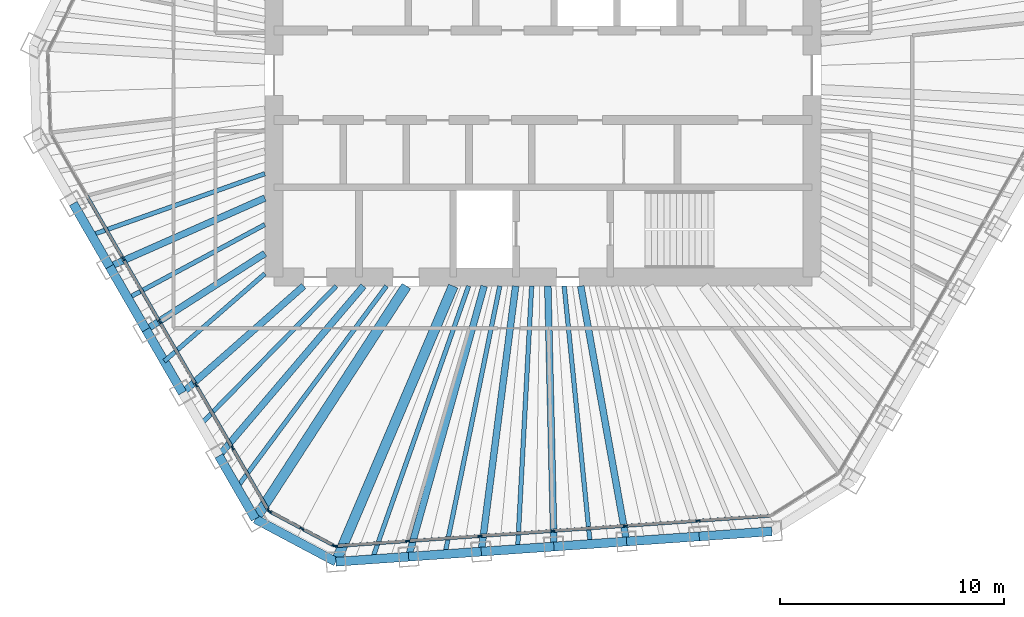
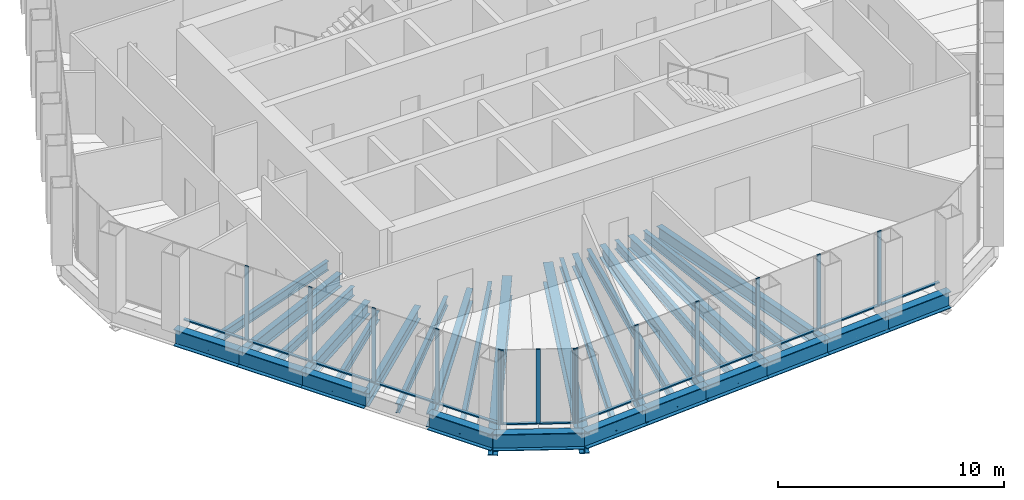
# One storey, part 2 of 14: 30 beams, 27 members, 3 elements without a shape of their own.
"""IFC4 building model written with IfcOpenShell, lengths in metres."""

import ifcopenshell
import ifcopenshell.guid

model = None  # the IFC model being written
_history = None  # IfcOwnerHistory: only IFC2X3 demands one
_inside = {}  # id of a spatial element -> (the spatial element, [elements in it])
_under = {}  # id of a project, library or spatial element -> (it, [spatial elements below it])
_declared = {}  # id of a project -> (the project, [libraries it declares])
_typed = {}  # id of a type object -> (the type object, [elements of that type])
_made_of = {}  # id of a material, layer set ... -> (it, [elements and type objects made of it])


def new_model(schema):
    """Start an empty IFC model of exactly this schema.

    Asked for "IFC4X3", IfcOpenShell would pick the latest addendum, in which some entities
    have other attributes; the version numbers below select the first issue.
    IFC2X3 requires an IfcOwnerHistory on every rooted entity: one is made here for all.
    """
    global model, _history
    if schema == "IFC4X3":
        model = ifcopenshell.file(schema_version=(4, 3, 0, 0))
    else:
        model = ifcopenshell.file(schema=schema)
    _inside.clear()
    _under.clear()
    _declared.clear()
    _typed.clear()
    _made_of.clear()
    _history = None
    if model.schema == "IFC2X3":
        org = make("IfcOrganization", Name="unknown")
        user = make(
            "IfcPersonAndOrganization",
            ThePerson=make("IfcPerson", FamilyName="unknown"),
            TheOrganization=org,
        )
        app = make(
            "IfcApplication",
            ApplicationDeveloper=org,
            Version="unknown",
            ApplicationFullName="unknown",
            ApplicationIdentifier="unknown",
        )
        _history = make(
            "IfcOwnerHistory",
            OwningUser=user,
            OwningApplication=app,
            ChangeAction="ADDED",
            CreationDate=0,
        )
    return model


def make(cls, **values):
    """One entity of the class cls with the attributes given. An attribute that is None is left unset."""
    return model.create_entity(
        cls, **{name: value for name, value in values.items() if value is not None}
    )


def rooted(cls, **values):
    """An entity with a GlobalId (a new one), such as an element, a storey or a relation."""
    return make(cls, GlobalId=ifcopenshell.guid.new(), OwnerHistory=_history, **values)


def si_unit(unit_type, name, prefix=None):
    """IfcSIUnit, for example si_unit("LENGTHUNIT", "METRE", prefix="MILLI")."""
    return make("IfcSIUnit", UnitType=unit_type, Prefix=prefix, Name=name)


def assignment(units):
    """IfcUnitAssignment: the units of a project."""
    return None if units is None else make("IfcUnitAssignment", Units=units)


def point(xyz):
    """IfcCartesianPoint."""
    return None if xyz is None else make("IfcCartesianPoint", Coordinates=xyz)


def direction(xyz):
    """IfcDirection."""
    return None if xyz is None else make("IfcDirection", DirectionRatios=xyz)


def frame(location, z_axis=None, x_axis=None):
    """IfcAxis2Placement3D, a coordinate frame: its origin and axes. An axis left out is left unset."""
    return make(
        "IfcAxis2Placement3D",
        Location=point(location),
        Axis=direction(z_axis),
        RefDirection=direction(x_axis),
    )


def frame_2d(location, x_axis=None):
    """IfcAxis2Placement2D, a coordinate frame in the plane: its origin and x axis."""
    return make(
        "IfcAxis2Placement2D", Location=point(location), RefDirection=direction(x_axis)
    )


def origin():
    """The frame at (0, 0, 0) with its axes left unset."""
    return frame((0.0, 0.0, 0.0))


def origin_2d():
    """The frame at (0, 0) in the plane with its x axis left unset."""
    return frame_2d((0.0, 0.0))


def place(relative_to, where):
    """IfcLocalPlacement: puts the frame where relative to a parent placement (None: the world)."""
    return make(
        "IfcLocalPlacement", PlacementRelTo=relative_to, RelativePlacement=where
    )


def context(
    kind, dimensions, precision=None, world=None, true_north=None, identifier=None
):
    """IfcGeometricRepresentationContext, for example the 3D "Model" context."""
    return make(
        "IfcGeometricRepresentationContext",
        ContextIdentifier=identifier,
        ContextType=kind,
        CoordinateSpaceDimension=dimensions,
        Precision=precision,
        WorldCoordinateSystem=world,
        TrueNorth=true_north,
    )


def subcontext(parent, identifier, kind, view, scale=None):
    """IfcGeometricRepresentationSubContext, for example "Body" below "Model"."""
    return make(
        "IfcGeometricRepresentationSubContext",
        ContextIdentifier=identifier,
        ContextType=kind,
        ParentContext=parent,
        TargetScale=scale,
        TargetView=view,
    )


def project(units=None, contexts=None):
    """IfcProject with its units and contexts."""
    return rooted(
        "IfcProject",
        Name="project",
        RepresentationContexts=contexts,
        UnitsInContext=assignment(units),
    )


def spatial(cls, under=None, at=None, **own):
    """A site, building, storey or space (cls), placed at a placement, below another one or the project."""
    s = rooted(cls, ObjectPlacement=at, **own)
    if under is not None:
        _under.setdefault(under.id(), (under, []))[1].append(s)
    return s


def profile(cls, at=None, kind="AREA", **sizes):
    """A parametric profile (cls). Its sizes go by their IFC names, for example OverallWidth=200.0."""
    return make(cls, ProfileType=kind, Position=at, **sizes)


def rectangle(**sizes):
    """IfcRectangleProfileDef."""
    return profile("IfcRectangleProfileDef", **sizes)


def i_section(**sizes):
    """IfcIShapeProfileDef."""
    return profile("IfcIShapeProfileDef", **sizes)


def extrude(swept, where, along, depth):
    """IfcExtrudedAreaSolid: the profile swept, set in the frame where, extruded along a direction by depth."""
    return make(
        "IfcExtrudedAreaSolid",
        SweptArea=swept,
        Position=where,
        ExtrudedDirection=direction(along),
        Depth=depth,
    )


def shape(context_of_items, identifier, shape_type, items):
    """IfcShapeRepresentation: the items that make up one representation, for example the "Body"."""
    return make(
        "IfcShapeRepresentation",
        ContextOfItems=context_of_items,
        RepresentationIdentifier=identifier,
        RepresentationType=shape_type,
        Items=items,
    )


def material(Name=None, Category=None):
    """IfcMaterial."""
    return make("IfcMaterial", Name=Name, Category=Category)


def material_profile(
    of_material, cross_section, Name=None, Category=None, Priority=None
):
    """IfcMaterialProfile: a cross section and its material."""
    return make(
        "IfcMaterialProfile",
        Name=Name,
        Material=of_material,
        Profile=cross_section,
        Priority=Priority,
        Category=Category,
    )


def profile_set(profiles, Name=None, composite=None):
    """IfcMaterialProfileSet."""
    return make(
        "IfcMaterialProfileSet",
        Name=Name,
        MaterialProfiles=profiles,
        CompositeProfile=composite,
    )


def made_of(thing, what):
    """Note that an element or type object is made of a material, layer set ...; save() writes the relation."""
    if what is not None:
        _made_of.setdefault(what.id(), (what, []))[1].append(thing)
    return thing


def type_object(cls, material=None, **own):
    """A type object (cls), such as IfcWallType, which elements share."""
    return made_of(rooted(cls, **own), material)


def element(
    cls,
    number,
    at=None,
    inside=None,
    cuts=None,
    type_object=None,
    material=None,
    context=None,
    identifier="Body",
    shape_type=None,
    held_by="IfcProductDefinitionShape",
    body=None,
    shapes=None,
    **own,
):
    """One element of the class cls, such as IfcWall. Its Tag is "e" and its number.

    at: its placement. inside: the storey or other place that contains it. cuts: it is an
    opening in that element (IfcRelVoidsElement). A single representation is given by context,
    identifier, shape_type and body (its items); several are given by shapes. held_by: the class
    of the entity that holds the representations. save() writes the other relations.
    """
    e = rooted(cls, Tag="e%d" % number, ObjectPlacement=at, **own)
    if body is not None:
        shapes = [shape(context, identifier, shape_type, body)]
    if shapes is not None:
        e.Representation = make(held_by, Representations=shapes)
    if inside is not None:
        _inside.setdefault(inside.id(), (inside, []))[1].append(e)
    if cuts is not None:
        rooted(
            "IfcRelVoidsElement", RelatingBuildingElement=cuts, RelatedOpeningElement=e
        )
    if type_object is not None:
        _typed.setdefault(type_object.id(), (type_object, []))[1].append(e)
    return made_of(e, material)


def aggregate(whole, parts):
    """IfcRelAggregates: a whole, such as a stair, and the parts it consists of."""
    return rooted("IfcRelAggregates", RelatingObject=whole, RelatedObjects=parts)


def save(model, path):
    """Write the relations noted so far, then the file.

    IfcRelAggregates (storeys below a building ...), IfcRelContainedInSpatialStructure (elements
    in a storey), IfcRelDefinesByType, IfcRelAssociatesMaterial and IfcRelDeclares: one each for
    every whole, place, type object, material and project.
    """
    for whole, parts in _under.values():
        aggregate(whole, parts)
    for where, things in _inside.values():
        rooted(
            "IfcRelContainedInSpatialStructure",
            RelatedElements=things,
            RelatingStructure=where,
        )
    for kind, things in _typed.values():
        rooted("IfcRelDefinesByType", RelatedObjects=things, RelatingType=kind)
    for what, things in _made_of.values():
        rooted("IfcRelAssociatesMaterial", RelatedObjects=things, RelatingMaterial=what)
    for by, libraries in _declared.values():
        rooted("IfcRelDeclares", RelatingContext=by, RelatedDefinitions=libraries)
    model.write(path)


model = new_model("IFC4")

# Units and contexts
model_context = context("Model", 3, precision=1e-05, world=origin(), true_north=direction((0.0, 1.0)))
body_context = subcontext(model_context, "Body", "Model", "MODEL_VIEW")
ifc_project = project(units=[si_unit("LENGTHUNIT", "METRE"), si_unit("AREAUNIT", "SQUARE_METRE"), si_unit("VOLUMEUNIT", "CUBIC_METRE"), si_unit("PLANEANGLEUNIT", "RADIAN"), si_unit("MASSUNIT", "GRAM", prefix="KILO")], contexts=[model_context])

# Site, building, storey
site_placement = place(None, origin())
site = spatial("IfcSite", under=ifc_project, at=site_placement, CompositionType="ELEMENT")
building_placement = place(site_placement, origin())
building = spatial("IfcBuilding", under=site, at=building_placement, Name="Qingtian Harvest Tower", CompositionType="ELEMENT")
storey_placement = place(building_placement, frame((0.0, 0.0, 325.0)))
storey = spatial("IfcBuildingStorey", under=building, at=storey_placement, Name="L72", CompositionType="ELEMENT", Elevation=325.0)

# Beams
ifc_material_1 = material(Name="Steel SM570MC", Category="steel")
ifc_material_profile_1 = material_profile(ifc_material_1, i_section(OverallWidth=0.449951171875, OverallDepth=1.10009765625, WebThickness=0.02197265625, FlangeThickness=0.044921875, at=origin_2d()), Name="H1100x450x22x45")
ifc_profile_set_1 = profile_set([ifc_material_profile_1], Name="Steel SM570MC")
beam_type_1 = type_object("IfcBeamType", Name="Corner floor beam FB8 H1100x450x22x45", PredefinedType="BEAM", material=ifc_profile_set_1)
beam_1_placement = place(storey_placement, frame((-9.231201171875, -21.69677734375, -0.719970703125), z_axis=(0.391505797179, 0.920175641264, 0.0), x_axis=(-0.920175641264, 0.391505797179, 0.0)))
element("IfcBeam", 1, at=beam_1_placement, inside=storey, type_object=beam_type_1, Name="Floor beam FB8 S6", PredefinedType="BEAM", context=body_context, shape_type="SweptSolid", body=[
    extrude(i_section(OverallWidth=0.449951171875, OverallDepth=1.10009765625, WebThickness=0.02197265625, FlangeThickness=0.044921875, at=origin_2d()), origin(), (0.0, 0.0, 1.0), 13.363525390625),
])
beam_2_placement = place(storey_placement, frame((-12.825439453125, -19.78564453125, -0.719970703125), z_axis=(0.543934037964, 0.839127977334, 0.0), x_axis=(-0.839127977334, 0.543934037964, 0.0)))
element("IfcBeam", 2, at=beam_2_placement, inside=storey, type_object=beam_type_1, Name="Floor beam FB8 SW0", PredefinedType="BEAM", context=body_context, shape_type="SweptSolid", body=[
    extrude(i_section(OverallWidth=0.449951171875, OverallDepth=1.10009765625, WebThickness=0.02197265625, FlangeThickness=0.044921875, at=origin_2d()), origin(), (0.0, 0.0, 1.0), 12.376708984375),
])
ifc_material_2 = material(Name="Steel SN490B", Category="steel")
ifc_material_profile_2 = material_profile(ifc_material_2, i_section(OverallWidth=0.300048828125, OverallDepth=0.699951171875, WebThickness=0.012939453125, FlangeThickness=0.02392578125, at=origin_2d()), Name="H700x300x13x24")
ifc_profile_set_2 = profile_set([ifc_material_profile_2], Name="Steel SN490B")
beam_type_2 = type_object("IfcBeamType", Name="Floor beam FB4 H700x300x13x24", PredefinedType="BEAM", material=ifc_profile_set_2)
beam_3_placement = place(storey_placement, frame((3.729248046875, -20.79052734375, -0.52001953125), z_axis=(-0.176558725829, 0.984290107811, 0.0), x_axis=(-0.984290107811, -0.176558725829, 0.0)))
element("IfcBeam", 3, at=beam_3_placement, inside=storey, type_object=beam_type_2, Name="Floor beam FB4 S2", PredefinedType="BEAM", context=body_context, shape_type="SweptSolid", body=[
    extrude(i_section(OverallWidth=0.300048828125, OverallDepth=0.699951171875, WebThickness=0.012939453125, FlangeThickness=0.02392578125, at=origin_2d()), origin(), (0.0, 0.0, 1.0), 11.572509765625),
])
beam_4_placement = place(storey_placement, frame((0.489013671875, -21.01708984375, -0.52001953125), z_axis=(-0.023257829451, 0.9997295001, 0.0), x_axis=(-0.9997295001, -0.023257829451, 0.0)))
element("IfcBeam", 4, at=beam_4_placement, inside=storey, type_object=beam_type_2, Name="Floor beam FB4 S3", PredefinedType="BEAM", context=body_context, shape_type="SweptSolid", body=[
    extrude(i_section(OverallWidth=0.300048828125, OverallDepth=0.699951171875, WebThickness=0.012939453125, FlangeThickness=0.02392578125, at=origin_2d()), origin(), (0.0, 0.0, 1.0), 11.620361328125),
])
beam_5_placement = place(storey_placement, frame((-2.7509765625, -21.24365234375, -0.52001953125), z_axis=(0.128421483878, 0.991719679385, 0.0), x_axis=(-0.991719679385, 0.128421483878, 0.0)))
element("IfcBeam", 5, at=beam_5_placement, inside=storey, type_object=beam_type_2, Name="Floor beam FB4 S4", PredefinedType="BEAM", context=body_context, shape_type="SweptSolid", body=[
    extrude(i_section(OverallWidth=0.300048828125, OverallDepth=0.699951171875, WebThickness=0.012939453125, FlangeThickness=0.02392578125, at=origin_2d()), origin(), (0.0, 0.0, 1.0), 11.942626953125),
])
beam_6_placement = place(storey_placement, frame((-5.9912109375, -21.47021484375, -0.52001953125), z_axis=(0.268777110088, 0.963202400896, 0.0), x_axis=(-0.963202400896, 0.268777110088, 0.0)))
element("IfcBeam", 6, at=beam_6_placement, inside=storey, type_object=beam_type_2, Name="Floor beam FB4 S5", PredefinedType="BEAM", context=body_context, shape_type="SweptSolid", body=[
    extrude(i_section(OverallWidth=0.300048828125, OverallDepth=0.699951171875, WebThickness=0.012939453125, FlangeThickness=0.02392578125, at=origin_2d()), origin(), (0.0, 0.0, 1.0), 12.531494140625),
])
beam_7_placement = place(storey_placement, frame((-14.449462890625, -16.972900390625, -0.52001953125), z_axis=(0.648230392117, 0.761444258457, 0.0), x_axis=(-0.761444258457, 0.648230392117, 0.0)))
element("IfcBeam", 7, at=beam_7_placement, inside=storey, type_object=beam_type_2, Name="Floor beam FB4 SW1", PredefinedType="BEAM", context=body_context, shape_type="SweptSolid", body=[
    extrude(i_section(OverallWidth=0.300048828125, OverallDepth=0.699951171875, WebThickness=0.012939453125, FlangeThickness=0.02392578125, at=origin_2d()), origin(), (0.0, 0.0, 1.0), 9.945556640625),
])
beam_8_placement = place(storey_placement, frame((-16.073486328125, -14.159912109375, -0.52001953125), z_axis=(0.750362998803, 0.661025997997, 0.0), x_axis=(-0.661025997997, 0.750362998803, 0.0)))
element("IfcBeam", 8, at=beam_8_placement, inside=storey, type_object=beam_type_2, Name="Floor beam FB4 SW2", PredefinedType="BEAM", context=body_context, shape_type="SweptSolid", body=[
    extrude(i_section(OverallWidth=0.300048828125, OverallDepth=0.699951171875, WebThickness=0.012939453125, FlangeThickness=0.02392578125, at=origin_2d()), origin(), (0.0, 0.0, 1.0), 7.200927734375),
])
beam_9_placement = place(storey_placement, frame((-17.697509765625, -11.34716796875, -0.52001953125), z_axis=(0.841819476537, 0.539759176785, 0.0), x_axis=(-0.539759176785, 0.841819476537, 0.0)))
element("IfcBeam", 9, at=beam_9_placement, inside=storey, type_object=beam_type_2, Name="Floor beam FB4 SW3", PredefinedType="BEAM", context=body_context, shape_type="SweptSolid", body=[
    extrude(i_section(OverallWidth=0.300048828125, OverallDepth=0.699951171875, WebThickness=0.012939453125, FlangeThickness=0.02392578125, at=origin_2d()), origin(), (0.0, 0.0, 1.0), 6.29296875),
])
beam_10_placement = place(storey_placement, frame((-19.321533203125, -8.5341796875, -0.52001953125), z_axis=(0.914748451897, 0.404023848, 0.0), x_axis=(-0.404023848, 0.914748451897, 0.0)))
element("IfcBeam", 10, at=beam_10_placement, inside=storey, type_object=beam_type_2, Name="Floor beam FB4 SW4", PredefinedType="BEAM", context=body_context, shape_type="SweptSolid", body=[
    extrude(i_section(OverallWidth=0.300048828125, OverallDepth=0.699951171875, WebThickness=0.012939453125, FlangeThickness=0.02392578125, at=origin_2d()), origin(), (0.0, 0.0, 1.0), 7.566650390625),
])
ifc_material_3 = material(Name="Steel SN490B", Category="steel")
ifc_material_profile_3 = material_profile(ifc_material_3, i_section(OverallWidth=0.199951171875, OverallDepth=0.5, WebThickness=0.010009765625, FlangeThickness=0.01611328125, at=origin_2d()), Name="H500x200x10x16")
ifc_profile_set_3 = profile_set([ifc_material_profile_3], Name="Steel SN490B")
beam_type_3 = type_object("IfcBeamType", Name="Floor joist J3 H500x200x10x16", PredefinedType="JOIST", material=ifc_profile_set_3)
beam_11_placement = place(storey_placement, frame((2.109130859375, -20.90380859375, -0.419921875), z_axis=(-0.100381738783, 0.994948996943, 0.0), x_axis=(-0.994948996943, -0.100381738783, 0.0)))
element("IfcBeam", 11, at=beam_11_placement, inside=storey, type_object=beam_type_3, Name="Floor joist J3 S2", PredefinedType="JOIST", context=body_context, shape_type="SweptSolid", body=[
    extrude(i_section(OverallWidth=0.199951171875, OverallDepth=0.5, WebThickness=0.010009765625, FlangeThickness=0.01611328125, at=origin_2d()), origin(), (0.0, 0.0, 1.0), 11.562255859375),
])
beam_12_placement = place(storey_placement, frame((-1.130859375, -21.13037109375, -0.419921875), z_axis=(0.053432551321, 0.998571460868, 0.0), x_axis=(-0.998571460868, 0.053432551321, 0.0)))
element("IfcBeam", 12, at=beam_12_placement, inside=storey, type_object=beam_type_3, Name="Floor joist J3 S3", PredefinedType="JOIST", context=body_context, shape_type="SweptSolid", body=[
    extrude(i_section(OverallWidth=0.199951171875, OverallDepth=0.5, WebThickness=0.010009765625, FlangeThickness=0.01611328125, at=origin_2d()), origin(), (0.0, 0.0, 1.0), 11.747314453125),
])
beam_13_placement = place(storey_placement, frame((-4.37109375, -21.35693359375, -0.419921875), z_axis=(0.200514926646, 0.97969064719, 0.0), x_axis=(-0.97969064719, 0.200514926646, 0.0)))
element("IfcBeam", 13, at=beam_13_placement, inside=storey, type_object=beam_type_3, Name="Floor joist J3 S4", PredefinedType="JOIST", context=body_context, shape_type="SweptSolid", body=[
    extrude(i_section(OverallWidth=0.199951171875, OverallDepth=0.5, WebThickness=0.010009765625, FlangeThickness=0.01611328125, at=origin_2d()), origin(), (0.0, 0.0, 1.0), 12.204833984375),
])
beam_14_placement = place(storey_placement, frame((-7.611083984375, -21.58349609375, -0.419921875), z_axis=(0.332565071267, 0.9430803112, 0.0), x_axis=(-0.9430803112, 0.332565071267, 0.0)))
element("IfcBeam", 14, at=beam_14_placement, inside=storey, type_object=beam_type_3, Name="Floor joist J3 S5", PredefinedType="JOIST", context=body_context, shape_type="SweptSolid", body=[
    extrude(i_section(OverallWidth=0.199951171875, OverallDepth=0.5, WebThickness=0.010009765625, FlangeThickness=0.01611328125, at=origin_2d()), origin(), (0.0, 0.0, 1.0), 12.9189453125),
])
beam_15_placement = place(storey_placement, frame((-13.637451171875, -18.37939453125, -0.419921875), z_axis=(0.595869637911, 0.803081175608, 0.0), x_axis=(-0.803081175608, 0.595869637911, 0.0)))
element("IfcBeam", 15, at=beam_15_placement, inside=storey, type_object=beam_type_3, Name="Floor joist J3 SW0", PredefinedType="JOIST", context=body_context, shape_type="SweptSolid", body=[
    extrude(i_section(OverallWidth=0.199951171875, OverallDepth=0.5, WebThickness=0.010009765625, FlangeThickness=0.01611328125, at=origin_2d()), origin(), (0.0, 0.0, 1.0), 11.181396484375),
])
beam_16_placement = place(storey_placement, frame((-15.261474609375, -15.56640625, -0.419921875), z_axis=(0.700075085428, 0.714069236673, 0.0), x_axis=(-0.714069236673, 0.700075085428, 0.0)))
element("IfcBeam", 16, at=beam_16_placement, inside=storey, type_object=beam_type_3, Name="Floor joist J3 SW1", PredefinedType="JOIST", context=body_context, shape_type="SweptSolid", body=[
    extrude(i_section(OverallWidth=0.199951171875, OverallDepth=0.5, WebThickness=0.010009765625, FlangeThickness=0.01611328125, at=origin_2d()), origin(), (0.0, 0.0, 1.0), 8.6357421875),
])
beam_17_placement = place(storey_placement, frame((-16.885498046875, -12.753662109375, -0.419921875), z_axis=(0.754351783553, 0.656470400437, 0.0), x_axis=(-0.656470400437, 0.754351783553, 0.0)))
element("IfcBeam", 17, at=beam_17_placement, inside=storey, type_object=beam_type_3, Name="Floor joist J3 SW2", PredefinedType="JOIST", context=body_context, shape_type="SweptSolid", body=[
    extrude(i_section(OverallWidth=0.199951171875, OverallDepth=0.5, WebThickness=0.010009765625, FlangeThickness=0.01611328125, at=origin_2d()), origin(), (0.0, 0.0, 1.0), 5.9462890625),
])
beam_18_placement = place(storey_placement, frame((-18.509521484375, -9.940673828125, -0.419921875), z_axis=(0.880999592364, 0.473117023847, 0.0), x_axis=(-0.473117023847, 0.880999592364, 0.0)))
element("IfcBeam", 18, at=beam_18_placement, inside=storey, type_object=beam_type_3, Name="Floor joist J3 SW3", PredefinedType="JOIST", context=body_context, shape_type="SweptSolid", body=[
    extrude(i_section(OverallWidth=0.199951171875, OverallDepth=0.5, WebThickness=0.010009765625, FlangeThickness=0.01611328125, at=origin_2d()), origin(), (0.0, 0.0, 1.0), 6.934814453125),
])
beam_19_placement = place(storey_placement, frame((-20.133544921875, -7.1279296875, -0.419921875), z_axis=(0.942664093486, 0.333743025174, 0.0), x_axis=(-0.333743025174, 0.942664093486, 0.0)))
element("IfcBeam", 19, at=beam_19_placement, inside=storey, type_object=beam_type_3, Name="Floor joist J3 SW4", PredefinedType="JOIST", context=body_context, shape_type="SweptSolid", body=[
    extrude(i_section(OverallWidth=0.199951171875, OverallDepth=0.5, WebThickness=0.010009765625, FlangeThickness=0.01611328125, at=origin_2d()), origin(), (0.0, 0.0, 1.0), 8.2041015625),
])

# Curtain wall, members
ifc_material_4 = material(Name="Bronze-anodised aluminium curtain wall", Category="aluminium")
curtain_wall_type = type_object("IfcCurtainWallType", Name="Curtain wall CW6 executive floors", PredefinedType="USERDEFINED", material=ifc_material_4)
curtain_wall_1_placement = place(storey_placement, origin())
curtain_wall_1 = element("IfcCurtainWall", 20, at=curtain_wall_1_placement, inside=storey, type_object=curtain_wall_type, Name="Curtain wall CW6 L72 S0-5", ObjectType="RECESSED CURTAIN WALL", PredefinedType="USERDEFINED")
ifc_material_5 = material(Name="Bronze-anodised aluminium mullion", Category="aluminium")
ifc_material_profile_4 = material_profile(ifc_material_5, rectangle(XDim=0.06494140625, YDim=0.199951171875, at=origin_2d()), Name="AL 65x200")
ifc_profile_set_4 = profile_set([ifc_material_profile_4], Name="Bronze-anodised aluminium mullion")
member_type_1 = type_object("IfcMemberType", Name="Mullion CWM 65x200", PredefinedType="MULLION", material=ifc_profile_set_4)
member_1_placement = place(storey_placement, frame((6.92041015625, -19.86572265625, 0.0), z_axis=(0.0, 0.0, 1.0), x_axis=(0.069756473744, -0.99756405026, 0.0)))
member_1 = element("IfcMember", 21, at=member_1_placement, type_object=member_type_1, Name="CW6 mullion 2", PredefinedType="MULLION", context=body_context, shape_type="SweptSolid", body=[
    extrude(rectangle(XDim=0.06494140625, YDim=0.199951171875, at=origin_2d()), origin(), (0.0, 0.0, 1.0), 4.030029296875),
])
member_2_placement = place(storey_placement, frame((3.680419921875, -20.09228515625, 0.0), z_axis=(0.0, 0.0, 1.0), x_axis=(0.069756473744, -0.99756405026, 0.0)))
member_2 = element("IfcMember", 22, at=member_2_placement, type_object=member_type_1, Name="CW6 mullion 3", PredefinedType="MULLION", context=body_context, shape_type="SweptSolid", body=[
    extrude(rectangle(XDim=0.06494140625, YDim=0.199951171875, at=origin_2d()), origin(), (0.0, 0.0, 1.0), 4.030029296875),
])
member_3_placement = place(storey_placement, frame((0.440185546875, -20.31884765625, 0.0), z_axis=(0.0, 0.0, 1.0), x_axis=(0.069756473744, -0.99756405026, 0.0)))
member_3 = element("IfcMember", 23, at=member_3_placement, type_object=member_type_1, Name="CW6 mullion 4", PredefinedType="MULLION", context=body_context, shape_type="SweptSolid", body=[
    extrude(rectangle(XDim=0.06494140625, YDim=0.199951171875, at=origin_2d()), origin(), (0.0, 0.0, 1.0), 4.030029296875),
])
member_4_placement = place(storey_placement, frame((-2.7998046875, -20.54541015625, 0.0), z_axis=(0.0, 0.0, 1.0), x_axis=(0.069756473744, -0.99756405026, 0.0)))
member_4 = element("IfcMember", 24, at=member_4_placement, type_object=member_type_1, Name="CW6 mullion 5", PredefinedType="MULLION", context=body_context, shape_type="SweptSolid", body=[
    extrude(rectangle(XDim=0.06494140625, YDim=0.199951171875, at=origin_2d()), origin(), (0.0, 0.0, 1.0), 4.030029296875),
])
member_5_placement = place(storey_placement, frame((-6.0400390625, -20.77197265625, 0.0), z_axis=(0.0, 0.0, 1.0), x_axis=(0.069756473744, -0.99756405026, 0.0)))
member_5 = element("IfcMember", 25, at=member_5_placement, type_object=member_type_1, Name="CW6 mullion 6", PredefinedType="MULLION", context=body_context, shape_type="SweptSolid", body=[
    extrude(rectangle(XDim=0.06494140625, YDim=0.199951171875, at=origin_2d()), origin(), (0.0, 0.0, 1.0), 4.030029296875),
])
member_6_placement = place(storey_placement, frame((-9.24755859375, -20.996337890625, 0.0), z_axis=(0.0, 0.0, 1.0), x_axis=(0.069756473744, -0.99756405026, 0.0)))
member_6 = element("IfcMember", 26, at=member_6_placement, type_object=member_type_1, Name="CW6 mullion 7", PredefinedType="MULLION", context=body_context, shape_type="SweptSolid", body=[
    extrude(rectangle(XDim=0.06494140625, YDim=0.199951171875, at=origin_2d()), origin(), (0.0, 0.0, 1.0), 4.030029296875),
])

curtain_wall_2_placement = place(storey_placement, origin())
curtain_wall_2 = element("IfcCurtainWall", 27, at=curtain_wall_2_placement, inside=storey, type_object=curtain_wall_type, Name="Curtain wall CW6 L72 SC", ObjectType="RECESSED CURTAIN WALL", PredefinedType="USERDEFINED")
member_7_placement = place(storey_placement, frame((-9.308837890625, -20.983154296875, 0.0), z_axis=(0.0, 0.0, 1.0), x_axis=(-0.469471562786, -0.882947592859, 0.0)))
member_7 = element("IfcMember", 28, at=member_7_placement, type_object=member_type_1, Name="CW6 mullion 1", PredefinedType="MULLION", context=body_context, shape_type="SweptSolid", body=[
    extrude(rectangle(XDim=0.06494140625, YDim=0.199951171875, at=origin_2d()), origin(), (0.0, 0.0, 1.0), 4.030029296875),
])
member_8_placement = place(storey_placement, frame((-10.749755859375, -20.217041015625, 0.0), z_axis=(0.0, 0.0, 1.0), x_axis=(-0.469471562786, -0.882947592859, 0.0)))
member_8 = element("IfcMember", 29, at=member_8_placement, type_object=member_type_1, Name="CW6 mullion 2", PredefinedType="MULLION", context=body_context, shape_type="SweptSolid", body=[
    extrude(rectangle(XDim=0.06494140625, YDim=0.199951171875, at=origin_2d()), origin(), (0.0, 0.0, 1.0), 4.030029296875),
])
member_9_placement = place(storey_placement, frame((-12.1904296875, -19.450927734375, 0.0), z_axis=(0.0, 0.0, 1.0), x_axis=(-0.469471562786, -0.882947592859, 0.0)))
member_9 = element("IfcMember", 30, at=member_9_placement, type_object=member_type_1, Name="CW6 mullion 3", PredefinedType="MULLION", context=body_context, shape_type="SweptSolid", body=[
    extrude(rectangle(XDim=0.06494140625, YDim=0.199951171875, at=origin_2d()), origin(), (0.0, 0.0, 1.0), 4.030029296875),
])

curtain_wall_3_placement = place(storey_placement, origin())
curtain_wall_3 = element("IfcCurtainWall", 31, at=curtain_wall_3_placement, inside=storey, type_object=curtain_wall_type, Name="Curtain wall CW6 L72 SW0-5", ObjectType="RECESSED CURTAIN WALL", PredefinedType="USERDEFINED")
member_10_placement = place(storey_placement, frame((-12.2353515625, -19.40771484375, 0.0), z_axis=(0.0, 0.0, 1.0), x_axis=(-0.866025403784, -0.5, 0.0)))
member_10 = element("IfcMember", 32, at=member_10_placement, type_object=member_type_1, Name="CW6 mullion 1", PredefinedType="MULLION", context=body_context, shape_type="SweptSolid", body=[
    extrude(rectangle(XDim=0.06494140625, YDim=0.199951171875, at=origin_2d()), origin(), (0.0, 0.0, 1.0), 4.030029296875),
])
member_11_placement = place(storey_placement, frame((-13.84326171875, -16.622802734375, 0.0), z_axis=(0.0, 0.0, 1.0), x_axis=(-0.866025403784, -0.5, 0.0)))
member_11 = element("IfcMember", 33, at=member_11_placement, type_object=member_type_1, Name="CW6 mullion 2", PredefinedType="MULLION", context=body_context, shape_type="SweptSolid", body=[
    extrude(rectangle(XDim=0.06494140625, YDim=0.199951171875, at=origin_2d()), origin(), (0.0, 0.0, 1.0), 4.030029296875),
])
member_12_placement = place(storey_placement, frame((-15.46728515625, -13.81005859375, 0.0), z_axis=(0.0, 0.0, 1.0), x_axis=(-0.866025403784, -0.5, 0.0)))
member_12 = element("IfcMember", 34, at=member_12_placement, type_object=member_type_1, Name="CW6 mullion 3", PredefinedType="MULLION", context=body_context, shape_type="SweptSolid", body=[
    extrude(rectangle(XDim=0.06494140625, YDim=0.199951171875, at=origin_2d()), origin(), (0.0, 0.0, 1.0), 4.030029296875),
])
member_13_placement = place(storey_placement, frame((-17.09130859375, -10.9970703125, 0.0), z_axis=(0.0, 0.0, 1.0), x_axis=(-0.866025403784, -0.5, 0.0)))
member_13 = element("IfcMember", 35, at=member_13_placement, type_object=member_type_1, Name="CW6 mullion 4", PredefinedType="MULLION", context=body_context, shape_type="SweptSolid", body=[
    extrude(rectangle(XDim=0.06494140625, YDim=0.199951171875, at=origin_2d()), origin(), (0.0, 0.0, 1.0), 4.030029296875),
])
member_14_placement = place(storey_placement, frame((-18.71533203125, -8.184326171875, 0.0), z_axis=(0.0, 0.0, 1.0), x_axis=(-0.866025403784, -0.5, 0.0)))
member_14 = element("IfcMember", 36, at=member_14_placement, type_object=member_type_1, Name="CW6 mullion 5", PredefinedType="MULLION", context=body_context, shape_type="SweptSolid", body=[
    extrude(rectangle(XDim=0.06494140625, YDim=0.199951171875, at=origin_2d()), origin(), (0.0, 0.0, 1.0), 4.030029296875),
])

# Beams
ifc_material_6 = material(Name="Steel SN490B", Category="steel")
ifc_material_profile_5 = material_profile(ifc_material_6, i_section(OverallWidth=0.39990234375, OverallDepth=0.89990234375, WebThickness=0.01904296875, FlangeThickness=0.035888671875, at=origin_2d()), Name="H900x400x19x36")
ifc_profile_set_5 = profile_set([ifc_material_profile_5], Name="Steel SN490B")
beam_type_4 = type_object("IfcBeamType", Name="Spandrel beam SB4 H900x400x19x36", PredefinedType="SPANDREL", material=ifc_profile_set_5)
beam_20_placement = place(storey_placement, frame((10.20947265625, -20.33740234375, -0.449951171875), z_axis=(-0.9975644093, -0.069751339047, 0.0), x_axis=(0.069751339047, -0.9975644093, 0.0)))
element("IfcBeam", 37, at=beam_20_placement, inside=storey, type_object=beam_type_4, Name="Spandrel SB4 S0", PredefinedType="SPANDREL", context=body_context, shape_type="SweptSolid", body=[
    extrude(i_section(OverallWidth=0.39990234375, OverallDepth=0.89990234375, WebThickness=0.01904296875, FlangeThickness=0.035888671875, at=origin_2d()), origin(), (0.0, 0.0, 1.0), 3.248046875),
])
beam_21_placement = place(storey_placement, frame((6.96923828125, -20.56396484375, -0.449951171875), z_axis=(-0.997564043571, -0.069756569394, 0.0), x_axis=(0.069756569394, -0.997564043571, 0.0)))
element("IfcBeam", 38, at=beam_21_placement, inside=storey, type_object=beam_type_4, Name="Spandrel SB4 S1", PredefinedType="SPANDREL", context=body_context, shape_type="SweptSolid", body=[
    extrude(i_section(OverallWidth=0.39990234375, OverallDepth=0.89990234375, WebThickness=0.01904296875, FlangeThickness=0.035888671875, at=origin_2d()), origin(), (0.0, 0.0, 1.0), 3.247802734375),
])
beam_22_placement = place(storey_placement, frame((3.729248046875, -20.79052734375, -0.449951171875), z_axis=(-0.9975644093, -0.069751339047, 0.0), x_axis=(0.069751339047, -0.9975644093, 0.0)))
element("IfcBeam", 39, at=beam_22_placement, inside=storey, type_object=beam_type_4, Name="Spandrel SB4 S2", PredefinedType="SPANDREL", context=body_context, shape_type="SweptSolid", body=[
    extrude(i_section(OverallWidth=0.39990234375, OverallDepth=0.89990234375, WebThickness=0.01904296875, FlangeThickness=0.035888671875, at=origin_2d()), origin(), (0.0, 0.0, 1.0), 3.248046875),
])
beam_23_placement = place(storey_placement, frame((0.489013671875, -21.01708984375, -0.449951171875), z_axis=(-0.997564043571, -0.069756569394, 0.0), x_axis=(0.069756569394, -0.997564043571, 0.0)))
element("IfcBeam", 40, at=beam_23_placement, inside=storey, type_object=beam_type_4, Name="Spandrel SB4 S3", PredefinedType="SPANDREL", context=body_context, shape_type="SweptSolid", body=[
    extrude(i_section(OverallWidth=0.39990234375, OverallDepth=0.89990234375, WebThickness=0.01904296875, FlangeThickness=0.035888671875, at=origin_2d()), origin(), (0.0, 0.0, 1.0), 3.247802734375),
])
beam_24_placement = place(storey_placement, frame((-2.7509765625, -21.24365234375, -0.449951171875), z_axis=(-0.9975644093, -0.069751339047, 0.0), x_axis=(0.069751339047, -0.9975644093, 0.0)))
element("IfcBeam", 41, at=beam_24_placement, inside=storey, type_object=beam_type_4, Name="Spandrel SB4 S4", PredefinedType="SPANDREL", context=body_context, shape_type="SweptSolid", body=[
    extrude(i_section(OverallWidth=0.39990234375, OverallDepth=0.89990234375, WebThickness=0.01904296875, FlangeThickness=0.035888671875, at=origin_2d()), origin(), (0.0, 0.0, 1.0), 3.248046875),
])
beam_25_placement = place(storey_placement, frame((-5.9912109375, -21.47021484375, -0.449951171875), z_axis=(-0.997564043571, -0.069756569394, 0.0), x_axis=(0.069756569394, -0.997564043571, 0.0)))
element("IfcBeam", 42, at=beam_25_placement, inside=storey, type_object=beam_type_4, Name="Spandrel SB4 S5", PredefinedType="SPANDREL", context=body_context, shape_type="SweptSolid", body=[
    extrude(i_section(OverallWidth=0.39990234375, OverallDepth=0.89990234375, WebThickness=0.01904296875, FlangeThickness=0.035888671875, at=origin_2d()), origin(), (0.0, 0.0, 1.0), 3.247802734375),
])
beam_26_placement = place(storey_placement, frame((-9.231201171875, -21.69677734375, -0.449951171875), z_axis=(-0.882943273379, 0.469479686456, 0.0), x_axis=(-0.469479686456, -0.882943273379, 0.0)))
element("IfcBeam", 43, at=beam_26_placement, inside=storey, type_object=beam_type_4, Name="Spandrel SB4 SC", PredefinedType="SPANDREL", context=body_context, shape_type="SweptSolid", body=[
    extrude(i_section(OverallWidth=0.39990234375, OverallDepth=0.89990234375, WebThickness=0.01904296875, FlangeThickness=0.035888671875, at=origin_2d()), origin(), (0.0, 0.0, 1.0), 4.07080078125),
])
for number, where, z_axis, x_axis, name in (
    (44, (-12.825439453125, -19.78564453125, -0.449951171875), (-0.500019593356, 0.866014091259, 0.0), (-0.866014091259, -0.500019593356, 0.0), "Spandrel SB4 SW0"),
    (45, (-16.073486328125, -14.159912109375, -0.449951171875), (-0.500019593356, 0.866014091259, 0.0), (-0.866014091259, -0.500019593356, 0.0), "Spandrel SB4 SW2"),
):
    element("IfcBeam", number, at=place(storey_placement, frame(where, z_axis=z_axis, x_axis=x_axis)), inside=storey, type_object=beam_type_4, Name=name, PredefinedType="SPANDREL", context=body_context, shape_type="SweptSolid", body=[
        extrude(i_section(OverallWidth=0.39990234375, OverallDepth=0.89990234375, WebThickness=0.01904296875, FlangeThickness=0.035888671875, at=origin_2d()), origin(), (0.0, 0.0, 1.0), 3.247802734375),
    ])
beam_27_placement = place(storey_placement, frame((-17.697509765625, -11.34716796875, -0.449951171875), z_axis=(-0.499987045439, 0.866032882975, 0.0), x_axis=(-0.866032882975, -0.499987045439, 0.0)))
element("IfcBeam", 46, at=beam_27_placement, inside=storey, type_object=beam_type_4, Name="Spandrel SB4 SW3", PredefinedType="SPANDREL", context=body_context, shape_type="SweptSolid", body=[
    extrude(i_section(OverallWidth=0.39990234375, OverallDepth=0.89990234375, WebThickness=0.01904296875, FlangeThickness=0.035888671875, at=origin_2d()), origin(), (0.0, 0.0, 1.0), 3.248046875),
])
beam_28_placement = place(storey_placement, frame((-19.321533203125, -8.5341796875, -0.449951171875), z_axis=(-0.500019593356, 0.866014091259, 0.0), x_axis=(-0.866014091259, -0.500019593356, 0.0)))
element("IfcBeam", 47, at=beam_28_placement, inside=storey, type_object=beam_type_4, Name="Spandrel SB4 SW4", PredefinedType="SPANDREL", context=body_context, shape_type="SweptSolid", body=[
    extrude(i_section(OverallWidth=0.39990234375, OverallDepth=0.89990234375, WebThickness=0.01904296875, FlangeThickness=0.035888671875, at=origin_2d()), origin(), (0.0, 0.0, 1.0), 3.247802734375),
])

# Member
ifc_material_7 = material(Name="Bronze-anodised aluminium transom", Category="aluminium")
ifc_material_profile_6 = material_profile(ifc_material_7, rectangle(XDim=0.14990234375, YDim=0.06494140625, at=origin_2d()), Name="AL 65x150")
ifc_profile_set_6 = profile_set([ifc_material_profile_6], Name="Bronze-anodised aluminium transom")
member_type_2 = type_object("IfcMemberType", Name="Transom CWT 65x150", PredefinedType="USERDEFINED", material=ifc_profile_set_6)
member_15_placement = place(storey_placement, frame((10.095703125, -19.6435546875, 0.032470703125), z_axis=(-0.997564955301, -0.069743529851, 0.0), x_axis=(0.069743529851, -0.997564955301, 0.0)))
member_15 = element("IfcMember", 48, at=member_15_placement, type_object=member_type_2, Name="CW6 transom 1.1", ObjectType="TRANSOM", PredefinedType="USERDEFINED", context=body_context, shape_type="SweptSolid", body=[
    extrude(rectangle(XDim=0.14990234375, YDim=0.06494140625, at=origin_2d()), origin(), (0.0, 0.0, 1.0), 3.150390625),
])

member_16_placement = place(storey_placement, frame((6.88818359375, -19.867919921875, 0.032470703125), z_axis=(-0.997566548107, -0.069720743674, 0.0), x_axis=(0.069720743674, -0.997566548107, 0.0)))
member_16 = element("IfcMember", 49, at=member_16_placement, type_object=member_type_2, Name="CW6 transom 2.1", ObjectType="TRANSOM", PredefinedType="USERDEFINED", context=body_context, shape_type="SweptSolid", body=[
    extrude(rectangle(XDim=0.14990234375, YDim=0.06494140625, at=origin_2d()), origin(), (0.0, 0.0, 1.0), 3.18310546875),
])

member_17_placement = place(storey_placement, frame((3.64794921875, -20.094482421875, 0.032470703125), z_axis=(-0.997566548107, -0.069720743674, 0.0), x_axis=(0.069720743674, -0.997566548107, 0.0)))
member_17 = element("IfcMember", 50, at=member_17_placement, type_object=member_type_2, Name="CW6 transom 3.1", ObjectType="TRANSOM", PredefinedType="USERDEFINED", context=body_context, shape_type="SweptSolid", body=[
    extrude(rectangle(XDim=0.14990234375, YDim=0.06494140625, at=origin_2d()), origin(), (0.0, 0.0, 1.0), 3.18310546875),
])

member_18_placement = place(storey_placement, frame((0.407958984375, -20.321044921875, 0.032470703125), z_axis=(-0.997566548107, -0.069720743674, 0.0), x_axis=(0.069720743674, -0.997566548107, 0.0)))
member_18 = element("IfcMember", 51, at=member_18_placement, type_object=member_type_2, Name="CW6 transom 4.1", ObjectType="TRANSOM", PredefinedType="USERDEFINED", context=body_context, shape_type="SweptSolid", body=[
    extrude(rectangle(XDim=0.14990234375, YDim=0.06494140625, at=origin_2d()), origin(), (0.0, 0.0, 1.0), 3.18310546875),
])

member_19_placement = place(storey_placement, frame((-2.832275390625, -20.547607421875, 0.032470703125), z_axis=(-0.997561210613, -0.06979707071, 0.0), x_axis=(0.06979707071, -0.997561210613, 0.0)))
member_19 = element("IfcMember", 52, at=member_19_placement, type_object=member_type_2, Name="CW6 transom 5.1", ObjectType="TRANSOM", PredefinedType="USERDEFINED", context=body_context, shape_type="SweptSolid", body=[
    extrude(rectangle(XDim=0.14990234375, YDim=0.06494140625, at=origin_2d()), origin(), (0.0, 0.0, 1.0), 3.18310546875),
])

member_20_placement = place(storey_placement, frame((-6.072509765625, -20.774169921875, 0.032470703125), z_axis=(-0.997564955301, -0.069743529851, 0.0), x_axis=(0.069743529851, -0.997564955301, 0.0)))
member_20 = element("IfcMember", 53, at=member_20_placement, type_object=member_type_2, Name="CW6 transom 6.1", ObjectType="TRANSOM", PredefinedType="USERDEFINED", context=body_context, shape_type="SweptSolid", body=[
    extrude(rectangle(XDim=0.14990234375, YDim=0.06494140625, at=origin_2d()), origin(), (0.0, 0.0, 1.0), 3.150390625),
])

aggregate(curtain_wall_1, [member_1, member_2, member_3, member_4, member_5, member_6, member_15, member_16, member_17, member_18, member_19, member_20])

member_21_placement = place(storey_placement, frame((-9.33740234375, -20.968017578125, 0.032470703125), z_axis=(-0.882960338349, 0.46944759122, 0.0), x_axis=(-0.46944759122, -0.882960338349, 0.0)))
member_21 = element("IfcMember", 54, at=member_21_placement, type_object=member_type_2, Name="CW6 transom 1.1", ObjectType="TRANSOM", PredefinedType="USERDEFINED", context=body_context, shape_type="SweptSolid", body=[
    extrude(rectangle(XDim=0.14990234375, YDim=0.06494140625, at=origin_2d()), origin(), (0.0, 0.0, 1.0), 1.56689453125),
])

member_22_placement = place(storey_placement, frame((-10.7783203125, -20.201904296875, 0.032470703125), z_axis=(-0.882960338349, 0.46944759122, 0.0), x_axis=(-0.46944759122, -0.882960338349, 0.0)))
member_22 = element("IfcMember", 55, at=member_22_placement, type_object=member_type_2, Name="CW6 transom 2.1", ObjectType="TRANSOM", PredefinedType="USERDEFINED", context=body_context, shape_type="SweptSolid", body=[
    extrude(rectangle(XDim=0.14990234375, YDim=0.06494140625, at=origin_2d()), origin(), (0.0, 0.0, 1.0), 1.56689453125),
])

aggregate(curtain_wall_2, [member_7, member_8, member_9, member_21, member_22])

member_23_placement = place(storey_placement, frame((-12.251708984375, -19.37939453125, 0.032470703125), z_axis=(-0.50000643655, 0.866021687608, 0.0), x_axis=(-0.866021687608, -0.50000643655, 0.0)))
member_23 = element("IfcMember", 56, at=member_23_placement, type_object=member_type_2, Name="CW6 transom 1.1", ObjectType="TRANSOM", PredefinedType="USERDEFINED", context=body_context, shape_type="SweptSolid", body=[
    extrude(rectangle(XDim=0.14990234375, YDim=0.06494140625, at=origin_2d()), origin(), (0.0, 0.0, 1.0), 3.150390625),
])

member_24_placement = place(storey_placement, frame((-13.859375, -16.5947265625, 0.032470703125), z_axis=(-0.5000079448, 0.866020816803, 0.0), x_axis=(-0.866020816803, -0.5000079448, 0.0)))
member_24 = element("IfcMember", 57, at=member_24_placement, type_object=member_type_2, Name="CW6 transom 2.1", ObjectType="TRANSOM", PredefinedType="USERDEFINED", context=body_context, shape_type="SweptSolid", body=[
    extrude(rectangle(XDim=0.14990234375, YDim=0.06494140625, at=origin_2d()), origin(), (0.0, 0.0, 1.0), 3.18310546875),
])

member_25_placement = place(storey_placement, frame((-15.4833984375, -13.78173828125, 0.032470703125), z_axis=(-0.500041159108, 0.866001639258, 0.0), x_axis=(-0.866001639258, -0.500041159108, 0.0)))
member_25 = element("IfcMember", 58, at=member_25_placement, type_object=member_type_2, Name="CW6 transom 3.1", ObjectType="TRANSOM", PredefinedType="USERDEFINED", context=body_context, shape_type="SweptSolid", body=[
    extrude(rectangle(XDim=0.14990234375, YDim=0.06494140625, at=origin_2d()), origin(), (0.0, 0.0, 1.0), 3.182861328125),
])

member_26_placement = place(storey_placement, frame((-17.107421875, -10.968994140625, 0.032470703125), z_axis=(-0.5000079448, 0.866020816803, 0.0), x_axis=(-0.866020816803, -0.5000079448, 0.0)))
member_26 = element("IfcMember", 59, at=member_26_placement, type_object=member_type_2, Name="CW6 transom 4.1", ObjectType="TRANSOM", PredefinedType="USERDEFINED", context=body_context, shape_type="SweptSolid", body=[
    extrude(rectangle(XDim=0.14990234375, YDim=0.06494140625, at=origin_2d()), origin(), (0.0, 0.0, 1.0), 3.18310546875),
])

member_27_placement = place(storey_placement, frame((-18.7314453125, -8.156005859375, 0.032470703125), z_axis=(-0.5000079448, 0.866020816803, 0.0), x_axis=(-0.866020816803, -0.5000079448, 0.0)))
member_27 = element("IfcMember", 60, at=member_27_placement, type_object=member_type_2, Name="CW6 transom 5.1", ObjectType="TRANSOM", PredefinedType="USERDEFINED", context=body_context, shape_type="SweptSolid", body=[
    extrude(rectangle(XDim=0.14990234375, YDim=0.06494140625, at=origin_2d()), origin(), (0.0, 0.0, 1.0), 3.18310546875),
])

aggregate(curtain_wall_3, [member_10, member_11, member_12, member_13, member_14, member_23, member_24, member_25, member_26, member_27])

save(model, "model.ifc")
